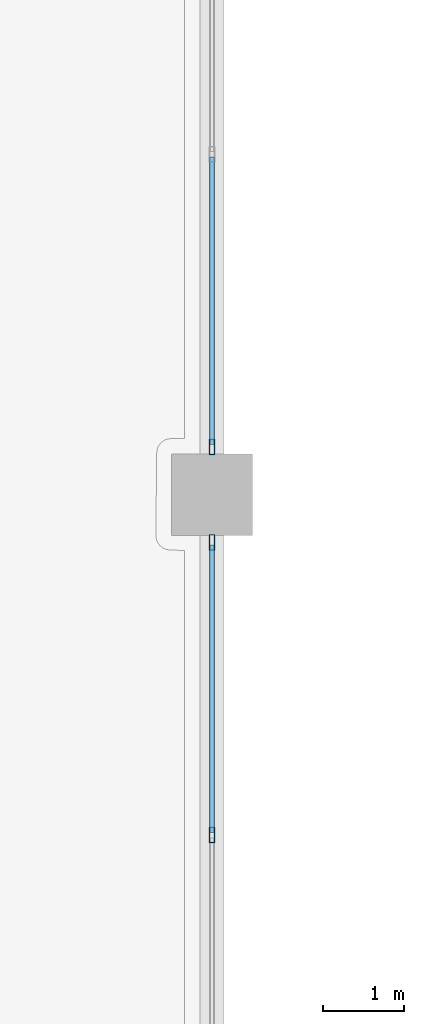
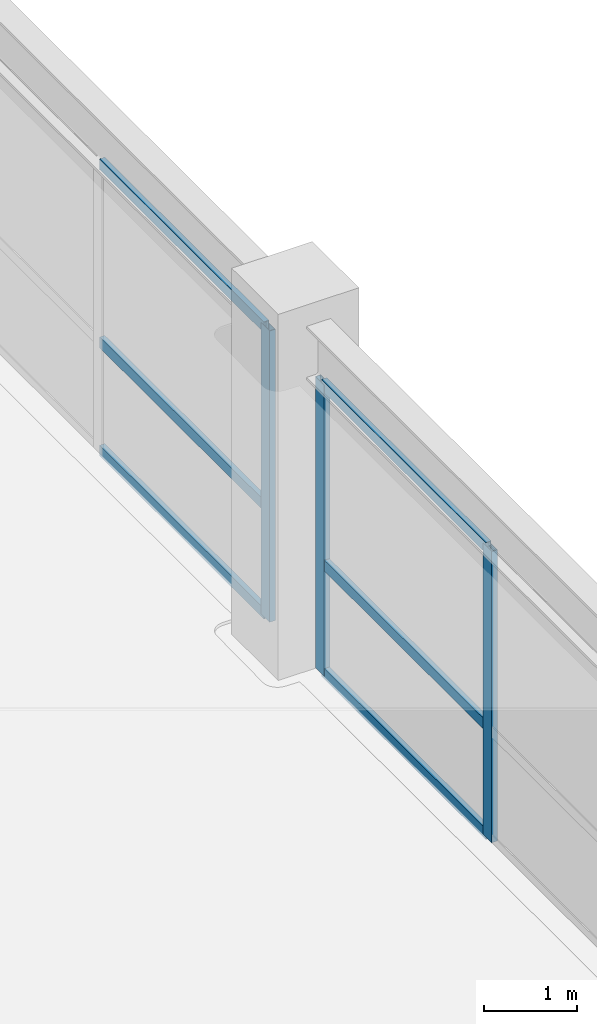
# One storey, part 5 of 34: 9 members, 2 elements without a shape of their own.
"""IFC4 building model written with IfcOpenShell, lengths in metres."""

import ifcopenshell
import ifcopenshell.guid

model = None  # the IFC model being written
_history = None  # IfcOwnerHistory: only IFC2X3 demands one
_inside = {}  # id of a spatial element -> (the spatial element, [elements in it])
_under = {}  # id of a project, library or spatial element -> (it, [spatial elements below it])
_declared = {}  # id of a project -> (the project, [libraries it declares])
_typed = {}  # id of a type object -> (the type object, [elements of that type])
_made_of = {}  # id of a material, layer set ... -> (it, [elements and type objects made of it])


def new_model(schema):
    """Start an empty IFC model of exactly this schema.

    Asked for "IFC4X3", IfcOpenShell would pick the latest addendum, in which some entities
    have other attributes; the version numbers below select the first issue.
    IFC2X3 requires an IfcOwnerHistory on every rooted entity: one is made here for all.
    """
    global model, _history
    if schema == "IFC4X3":
        model = ifcopenshell.file(schema_version=(4, 3, 0, 0))
    else:
        model = ifcopenshell.file(schema=schema)
    _inside.clear()
    _under.clear()
    _declared.clear()
    _typed.clear()
    _made_of.clear()
    _history = None
    if model.schema == "IFC2X3":
        org = make("IfcOrganization", Name="unknown")
        user = make(
            "IfcPersonAndOrganization",
            ThePerson=make("IfcPerson", FamilyName="unknown"),
            TheOrganization=org,
        )
        app = make(
            "IfcApplication",
            ApplicationDeveloper=org,
            Version="unknown",
            ApplicationFullName="unknown",
            ApplicationIdentifier="unknown",
        )
        _history = make(
            "IfcOwnerHistory",
            OwningUser=user,
            OwningApplication=app,
            ChangeAction="ADDED",
            CreationDate=0,
        )
    return model


def make(cls, **values):
    """One entity of the class cls with the attributes given. An attribute that is None is left unset."""
    return model.create_entity(
        cls, **{name: value for name, value in values.items() if value is not None}
    )


def rooted(cls, **values):
    """An entity with a GlobalId (a new one), such as an element, a storey or a relation."""
    return make(cls, GlobalId=ifcopenshell.guid.new(), OwnerHistory=_history, **values)


def si_unit(unit_type, name, prefix=None):
    """IfcSIUnit, for example si_unit("LENGTHUNIT", "METRE", prefix="MILLI")."""
    return make("IfcSIUnit", UnitType=unit_type, Prefix=prefix, Name=name)


def derived_unit(unit_type, elements):
    """IfcDerivedUnit: a product of units, each with its exponent."""
    return make(
        "IfcDerivedUnit",
        Elements=[
            make("IfcDerivedUnitElement", Unit=unit, Exponent=power)
            for unit, power in elements
        ],
        UnitType=unit_type,
    )


def assignment(units):
    """IfcUnitAssignment: the units of a project."""
    return None if units is None else make("IfcUnitAssignment", Units=units)


def point(xyz):
    """IfcCartesianPoint."""
    return None if xyz is None else make("IfcCartesianPoint", Coordinates=xyz)


def direction(xyz):
    """IfcDirection."""
    return None if xyz is None else make("IfcDirection", DirectionRatios=xyz)


def frame(location, z_axis=None, x_axis=None):
    """IfcAxis2Placement3D, a coordinate frame: its origin and axes. An axis left out is left unset."""
    return make(
        "IfcAxis2Placement3D",
        Location=point(location),
        Axis=direction(z_axis),
        RefDirection=direction(x_axis),
    )


def frame_2d(location, x_axis=None):
    """IfcAxis2Placement2D, a coordinate frame in the plane: its origin and x axis."""
    return make(
        "IfcAxis2Placement2D", Location=point(location), RefDirection=direction(x_axis)
    )


def origin():
    """The frame at (0, 0, 0) with its axes left unset."""
    return frame((0.0, 0.0, 0.0))


def origin_2d():
    """The frame at (0, 0) in the plane with its x axis left unset."""
    return frame_2d((0.0, 0.0))


def place(relative_to, where):
    """IfcLocalPlacement: puts the frame where relative to a parent placement (None: the world)."""
    return make(
        "IfcLocalPlacement", PlacementRelTo=relative_to, RelativePlacement=where
    )


def context(
    kind, dimensions, precision=None, world=None, true_north=None, identifier=None
):
    """IfcGeometricRepresentationContext, for example the 3D "Model" context."""
    return make(
        "IfcGeometricRepresentationContext",
        ContextIdentifier=identifier,
        ContextType=kind,
        CoordinateSpaceDimension=dimensions,
        Precision=precision,
        WorldCoordinateSystem=world,
        TrueNorth=true_north,
    )


def subcontext(parent, identifier, kind, view, scale=None):
    """IfcGeometricRepresentationSubContext, for example "Body" below "Model"."""
    return make(
        "IfcGeometricRepresentationSubContext",
        ContextIdentifier=identifier,
        ContextType=kind,
        ParentContext=parent,
        TargetScale=scale,
        TargetView=view,
    )


def project(units=None, contexts=None):
    """IfcProject with its units and contexts."""
    return rooted(
        "IfcProject",
        Name="project",
        RepresentationContexts=contexts,
        UnitsInContext=assignment(units),
    )


def spatial(cls, under=None, at=None, **own):
    """A site, building, storey or space (cls), placed at a placement, below another one or the project."""
    s = rooted(cls, ObjectPlacement=at, **own)
    if under is not None:
        _under.setdefault(under.id(), (under, []))[1].append(s)
    return s


def profile(cls, at=None, kind="AREA", **sizes):
    """A parametric profile (cls). Its sizes go by their IFC names, for example OverallWidth=200.0."""
    return make(cls, ProfileType=kind, Position=at, **sizes)


def hollow_rectangle(**sizes):
    """IfcRectangleHollowProfileDef."""
    return profile("IfcRectangleHollowProfileDef", **sizes)


def extrude(swept, where, along, depth):
    """IfcExtrudedAreaSolid: the profile swept, set in the frame where, extruded along a direction by depth."""
    return make(
        "IfcExtrudedAreaSolid",
        SweptArea=swept,
        Position=where,
        ExtrudedDirection=direction(along),
        Depth=depth,
    )


def shape(context_of_items, identifier, shape_type, items):
    """IfcShapeRepresentation: the items that make up one representation, for example the "Body"."""
    return make(
        "IfcShapeRepresentation",
        ContextOfItems=context_of_items,
        RepresentationIdentifier=identifier,
        RepresentationType=shape_type,
        Items=items,
    )


def source(mapping_origin, context_of_items, identifier, shape_type, items):
    """IfcRepresentationMap: a shape defined once, which mapped items show again and again."""
    return make(
        "IfcRepresentationMap",
        MappingOrigin=mapping_origin,
        MappedRepresentation=shape(context_of_items, identifier, shape_type, items),
    )


def transform(
    local_origin,
    x_axis=None,
    y_axis=None,
    z_axis=None,
    scale=None,
    scale2=None,
    scale3=None,
    uniform=True,
):
    """IfcCartesianTransformationOperator3D, or its non-uniform kind. x_axis, y_axis, z_axis: its Axis1, 2, 3."""
    if uniform:
        return make(
            "IfcCartesianTransformationOperator3D",
            Axis1=direction(x_axis),
            Axis2=direction(y_axis),
            LocalOrigin=point(local_origin),
            Scale=scale,
            Axis3=direction(z_axis),
        )
    return make(
        "IfcCartesianTransformationOperator3DnonUniform",
        Axis1=direction(x_axis),
        Axis2=direction(y_axis),
        LocalOrigin=point(local_origin),
        Scale=scale,
        Axis3=direction(z_axis),
        Scale2=scale2,
        Scale3=scale3,
    )


def mapped(mapping_source, mapping_target):
    """IfcMappedItem: shows the shape of a source again, moved by a transform."""
    return make(
        "IfcMappedItem", MappingSource=mapping_source, MappingTarget=mapping_target
    )


def material(Name=None, Category=None):
    """IfcMaterial."""
    return make("IfcMaterial", Name=Name, Category=Category)


def layer(
    of_material, thickness, ventilated=None, Name=None, Category=None, Priority=None
):
    """IfcMaterialLayer: one layer of a wall or slab, of a material (None: an air gap)."""
    return make(
        "IfcMaterialLayer",
        Material=of_material,
        LayerThickness=thickness,
        IsVentilated=ventilated,
        Name=Name,
        Category=Category,
        Priority=Priority,
    )


def layer_set(layers, Name=None):
    """IfcMaterialLayerSet."""
    return make("IfcMaterialLayerSet", MaterialLayers=layers, LayerSetName=Name)


def material_profile(
    of_material, cross_section, Name=None, Category=None, Priority=None
):
    """IfcMaterialProfile: a cross section and its material."""
    return make(
        "IfcMaterialProfile",
        Name=Name,
        Material=of_material,
        Profile=cross_section,
        Priority=Priority,
        Category=Category,
    )


def profile_set(profiles, Name=None, composite=None):
    """IfcMaterialProfileSet."""
    return make(
        "IfcMaterialProfileSet",
        Name=Name,
        MaterialProfiles=profiles,
        CompositeProfile=composite,
    )


def made_of(thing, what):
    """Note that an element or type object is made of a material, layer set ...; save() writes the relation."""
    if what is not None:
        _made_of.setdefault(what.id(), (what, []))[1].append(thing)
    return thing


def type_object(cls, material=None, **own):
    """A type object (cls), such as IfcWallType, which elements share."""
    return made_of(rooted(cls, **own), material)


def element(
    cls,
    number,
    at=None,
    inside=None,
    cuts=None,
    type_object=None,
    material=None,
    context=None,
    identifier="Body",
    shape_type=None,
    held_by="IfcProductDefinitionShape",
    body=None,
    shapes=None,
    **own,
):
    """One element of the class cls, such as IfcWall. Its Tag is "e" and its number.

    at: its placement. inside: the storey or other place that contains it. cuts: it is an
    opening in that element (IfcRelVoidsElement). A single representation is given by context,
    identifier, shape_type and body (its items); several are given by shapes. held_by: the class
    of the entity that holds the representations. save() writes the other relations.
    """
    e = rooted(cls, Tag="e%d" % number, ObjectPlacement=at, **own)
    if body is not None:
        shapes = [shape(context, identifier, shape_type, body)]
    if shapes is not None:
        e.Representation = make(held_by, Representations=shapes)
    if inside is not None:
        _inside.setdefault(inside.id(), (inside, []))[1].append(e)
    if cuts is not None:
        rooted(
            "IfcRelVoidsElement", RelatingBuildingElement=cuts, RelatedOpeningElement=e
        )
    if type_object is not None:
        _typed.setdefault(type_object.id(), (type_object, []))[1].append(e)
    return made_of(e, material)


def aggregate(whole, parts):
    """IfcRelAggregates: a whole, such as a stair, and the parts it consists of."""
    return rooted("IfcRelAggregates", RelatingObject=whole, RelatedObjects=parts)


def save(model, path):
    """Write the relations noted so far, then the file.

    IfcRelAggregates (storeys below a building ...), IfcRelContainedInSpatialStructure (elements
    in a storey), IfcRelDefinesByType, IfcRelAssociatesMaterial and IfcRelDeclares: one each for
    every whole, place, type object, material and project.
    """
    for whole, parts in _under.values():
        aggregate(whole, parts)
    for where, things in _inside.values():
        rooted(
            "IfcRelContainedInSpatialStructure",
            RelatedElements=things,
            RelatingStructure=where,
        )
    for kind, things in _typed.values():
        rooted("IfcRelDefinesByType", RelatedObjects=things, RelatingType=kind)
    for what, things in _made_of.values():
        rooted("IfcRelAssociatesMaterial", RelatedObjects=things, RelatingMaterial=what)
    for by, libraries in _declared.values():
        rooted("IfcRelDeclares", RelatingContext=by, RelatedDefinitions=libraries)
    model.write(path)


model = new_model("IFC4")

# Units and contexts
model_context = context("Model", 3, precision=1e-05, world=origin(), true_north=direction((0.0, 1.0)))
body_context = subcontext(model_context, "Body", "Model", "MODEL_VIEW")
ifc_project = project(units=[si_unit("LENGTHUNIT", "METRE"), si_unit("AREAUNIT", "SQUARE_METRE"), si_unit("VOLUMEUNIT", "CUBIC_METRE"), si_unit("PLANEANGLEUNIT", "RADIAN"), si_unit("MASSUNIT", "GRAM", prefix="KILO"), derived_unit("THERMALTRANSMITTANCEUNIT", [(si_unit("POWERUNIT", "WATT"), 1), (si_unit("LENGTHUNIT", "METRE"), -2), (si_unit("THERMODYNAMICTEMPERATUREUNIT", "KELVIN"), -1)])], contexts=[model_context])

# Site, building, storey
site_placement = place(None, origin())
site = spatial("IfcSite", under=ifc_project, at=site_placement, CompositionType="ELEMENT")
building_placement = place(site_placement, origin())
building = spatial("IfcBuilding", under=site, at=building_placement, Name="Korsvarv Bourse and Concert Hall", CompositionType="ELEMENT")
storey_placement = place(building_placement, frame((0.0, 0.0, 14.39990234375)))
storey = spatial("IfcBuildingStorey", under=building, at=storey_placement, Name="L03", CompositionType="ELEMENT", Elevation=14.39990234375)

# Curtain wall, members
ifc_material_1 = material(Name="Anodised aluminium and triple low-E glazing", Category="glass")
ifc_layer = layer(ifc_material_1, 0.239990234375)
ifc_layer_set = layer_set([ifc_layer], Name="Anodised aluminium and triple low-E glazing")
curtain_wall_type = type_object("IfcCurtainWallType", Name="CW-SYS-5", PredefinedType="NOTDEFINED", material=ifc_layer_set)
curtain_wall_1_placement = place(storey_placement, origin())
curtain_wall_1 = element("IfcCurtainWall", 1, at=curtain_wall_1_placement, inside=storey, type_object=curtain_wall_type, Name="L03 CW5 curtain wall CW-L03-E1", PredefinedType="NOTDEFINED")
ifc_material_2 = material(Name="Extruded aluminium EN AW-6063 T66", Category="aluminium")
ifc_material_profile_1 = material_profile(ifc_material_2, hollow_rectangle(XDim=0.070068359375, YDim=0.18994140625, WallThickness=0.0048828125, at=origin_2d()), Name="ALU-M 70x190")
ifc_profile_set_1 = profile_set([ifc_material_profile_1], Name="Extruded aluminium EN AW-6063 T66")
member_type_1 = type_object("IfcMemberType", Name="CWM-190", PredefinedType="MULLION", material=ifc_profile_set_1)
shared_shape_1 = source(origin(), body_context, "Body", "SweptSolid", [
    extrude(hollow_rectangle(XDim=0.070068359375, YDim=0.18994140625, WallThickness=0.0048828125, at=origin_2d()), origin(), (0.0, 0.0, 1.0), 3.820068359375),
])
member_1_placement = place(storey_placement, frame((66.0, 11.816650390625, 0.0), z_axis=(0.0, 0.0, 1.0), x_axis=(-1.0, 0.0, 0.0)))
member_1 = element("IfcMember", 2, at=member_1_placement, type_object=member_type_1, Name="CW5 mullion 3", PredefinedType="MULLION", context=body_context, shape_type="MappedRepresentation", body=[
    mapped(shared_shape_1, transform((0.0, 0.0, 0.0), scale=1.0)),
])
member_2_placement = place(storey_placement, frame((66.0, 15.4150390625, 0.0), z_axis=(0.0, 0.0, 1.0), x_axis=(-1.0, 0.0, 0.0)))
member_2 = element("IfcMember", 3, at=member_2_placement, type_object=member_type_1, Name="CW5 mullion 4", PredefinedType="MULLION", context=body_context, shape_type="MappedRepresentation", body=[
    mapped(shared_shape_1, transform((0.0, 0.0, 0.0), scale=1.0)),
])

# Curtain wall, member
curtain_wall_2_placement = place(storey_placement, origin())
curtain_wall_2 = element("IfcCurtainWall", 4, at=curtain_wall_2_placement, inside=storey, type_object=curtain_wall_type, Name="L03 CW5 curtain wall CW-L03-E2-1", PredefinedType="NOTDEFINED")
member_3_placement = place(storey_placement, frame((66.0, 16.5849609375, 0.0), z_axis=(0.0, 0.0, 1.0), x_axis=(-1.0, 0.0, 0.0)))
member_3 = element("IfcMember", 5, at=member_3_placement, type_object=member_type_1, Name="CW5 mullion 1", PredefinedType="MULLION", context=body_context, shape_type="MappedRepresentation", body=[
    mapped(shared_shape_1, transform((0.0, 0.0, 0.0), scale=1.0)),
])

# Member
ifc_material_profile_2 = material_profile(ifc_material_2, hollow_rectangle(XDim=0.06494140625, YDim=0.139892578125, WallThickness=0.00390625, at=origin_2d()), Name="ALU-T 65x140")
ifc_profile_set_2 = profile_set([ifc_material_profile_2], Name="Extruded aluminium EN AW-6063 T66")
member_type_2 = type_object("IfcMemberType", Name="CWT-140", PredefinedType="USERDEFINED", material=ifc_profile_set_2)
shared_shape_2 = source(origin(), body_context, "Body", "SweptSolid", [
    extrude(hollow_rectangle(XDim=0.06494140625, YDim=0.139892578125, WallThickness=0.00390625, at=origin_2d()), origin(), (0.0, 0.0, 1.0), 3.5283203125),
])
member_4_placement = place(storey_placement, frame((66.0, 11.8515625, 0.03271484375), z_axis=(0.0, 1.0, 0.0), x_axis=(-1.0, 0.0, 0.0)))
member_4 = element("IfcMember", 6, at=member_4_placement, type_object=member_type_2, Name="CW5 transom 3.1", ObjectType="TRANSOM", PredefinedType="USERDEFINED", context=body_context, shape_type="MappedRepresentation", body=[
    mapped(shared_shape_2, transform((0.0, 0.0, 0.0), scale=1.0)),
])

member_5_placement = place(storey_placement, frame((66.0, 11.8515625, 1.45166015625), z_axis=(0.0, 1.0, 0.0), x_axis=(-1.0, 0.0, 0.0)))
member_5 = element("IfcMember", 7, at=member_5_placement, type_object=member_type_2, Name="CW5 transom 3.2", ObjectType="TRANSOM", PredefinedType="USERDEFINED", context=body_context, shape_type="MappedRepresentation", body=[
    mapped(shared_shape_2, transform((0.0, 0.0, 0.0), scale=1.0)),
])

member_6_placement = place(storey_placement, frame((66.0, 11.8515625, 3.78759765625), z_axis=(0.0, 1.0, 0.0), x_axis=(-1.0, 0.0, 0.0)))
member_6 = element("IfcMember", 8, at=member_6_placement, type_object=member_type_2, Name="CW5 transom 3.3", ObjectType="TRANSOM", PredefinedType="USERDEFINED", context=body_context, shape_type="MappedRepresentation", body=[
    mapped(shared_shape_2, transform((0.0, 0.0, 0.0), scale=1.0)),
])

aggregate(curtain_wall_1, [member_1, member_2, member_4, member_5, member_6])

member_7_placement = place(storey_placement, frame((66.0, 16.6201171875, 0.03271484375), z_axis=(0.0, 1.0, 0.0), x_axis=(-1.0, 0.0, 0.0)))
member_7 = element("IfcMember", 9, at=member_7_placement, type_object=member_type_2, Name="CW5 transom 1.1", ObjectType="TRANSOM", PredefinedType="USERDEFINED", context=body_context, shape_type="MappedRepresentation", body=[
    mapped(shared_shape_2, transform((0.0, 0.0, 0.0), scale=1.0)),
])

member_8_placement = place(storey_placement, frame((66.0, 16.6201171875, 1.45166015625), z_axis=(0.0, 1.0, 0.0), x_axis=(-1.0, 0.0, 0.0)))
member_8 = element("IfcMember", 10, at=member_8_placement, type_object=member_type_2, Name="CW5 transom 1.2", ObjectType="TRANSOM", PredefinedType="USERDEFINED", context=body_context, shape_type="MappedRepresentation", body=[
    mapped(shared_shape_2, transform((0.0, 0.0, 0.0), scale=1.0)),
])

member_9_placement = place(storey_placement, frame((66.0, 16.6201171875, 3.78759765625), z_axis=(0.0, 1.0, 0.0), x_axis=(-1.0, 0.0, 0.0)))
member_9 = element("IfcMember", 11, at=member_9_placement, type_object=member_type_2, Name="CW5 transom 1.3", ObjectType="TRANSOM", PredefinedType="USERDEFINED", context=body_context, shape_type="MappedRepresentation", body=[
    mapped(shared_shape_2, transform((0.0, 0.0, 0.0), scale=1.0)),
])

aggregate(curtain_wall_2, [member_3, member_7, member_8, member_9])

save(model, "model.ifc")
